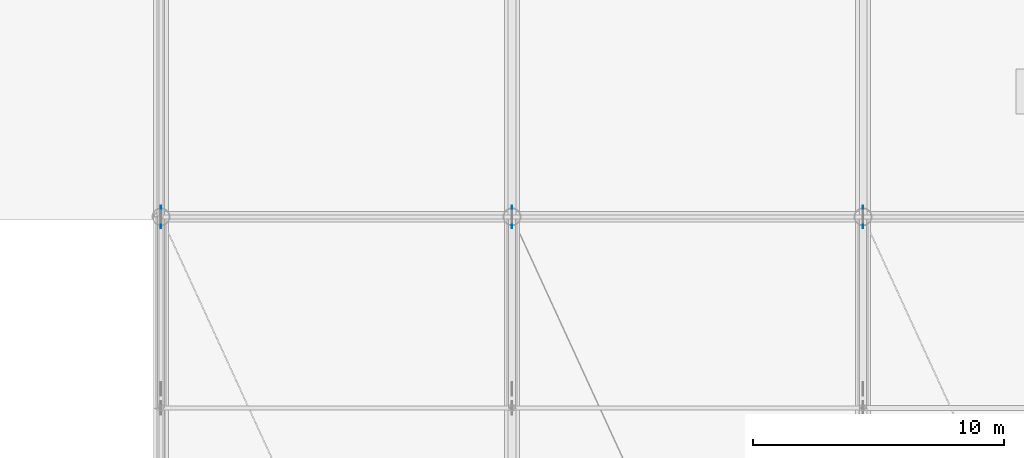
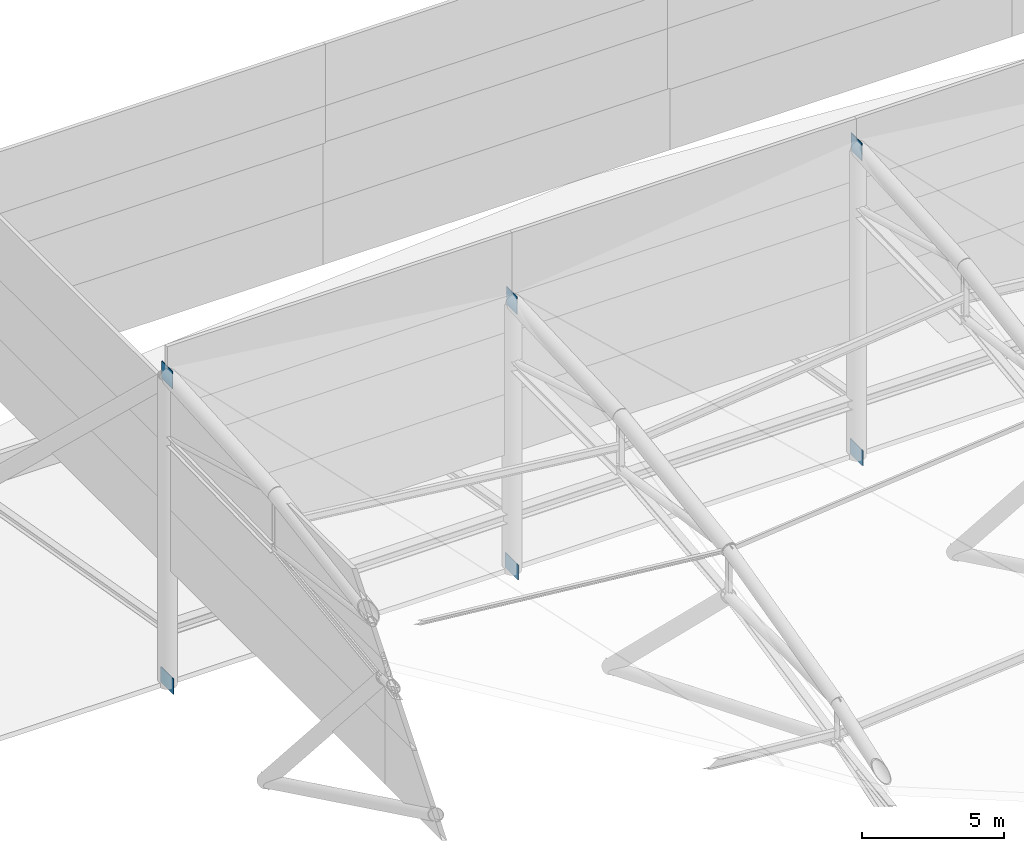
# One storey, part 75 of 113: 6 plates.
"""IFC4 building model written with IfcOpenShell, lengths in metres."""

from ifc_helpers import new_model, si_unit, direction, frame, origin, origin_2d, place, context, subcontext, project, spatial, rectangle, extrude, material, layer, layer_set, type_object, element, save


model = new_model("IFC4")

# Units and contexts
model_context = context("Model", 3, precision=1e-05, world=origin(), true_north=direction((0.0, 1.0)))
body_context = subcontext(model_context, "Body", "Model", "MODEL_VIEW")
ifc_project = project(units=[si_unit("LENGTHUNIT", "METRE"), si_unit("AREAUNIT", "SQUARE_METRE"), si_unit("VOLUMEUNIT", "CUBIC_METRE"), si_unit("PLANEANGLEUNIT", "RADIAN"), si_unit("MASSUNIT", "GRAM", prefix="KILO")], contexts=[model_context])

# Site, building, storey
site_placement = place(None, origin())
site = spatial("IfcSite", under=ifc_project, at=site_placement, CompositionType="ELEMENT")
building_placement = place(site_placement, origin())
building = spatial("IfcBuilding", under=site, at=building_placement, Name="Linyun Crest Stadium", CompositionType="ELEMENT")
storey_placement = place(building_placement, frame((0.0, 0.0, 26.39990234375)))
storey = spatial("IfcBuildingStorey", under=building, at=storey_placement, Name="L06", CompositionType="ELEMENT", Elevation=26.39990234375)

# Plates
ifc_material_1 = material(Name="Steel Q420C", Category="steel")
ifc_layer_1 = layer(ifc_material_1, 0.02392578125)
ifc_layer_set_1 = layer_set([ifc_layer_1], Name="Steel Q420C")
plate_type_1 = type_object("IfcPlateType", Name="EP02", PredefinedType="USERDEFINED", material=ifc_layer_set_1)
for number, where, z_axis, x_axis, name in (
    (1, (-28.0, 91.5, 12.669921875), (0.0, 0.0, 1.0), (0.0, 1.0, 0.0), "Roof mast cap end plate EP02 209"),
    (2, (-14.0, 91.5, 10.97021484375), (0.0, 0.0, 1.0), (0.0, 1.0, 0.0), "Roof mast cap end plate EP02 222"),
    (3, (0.0, 91.5, 12.669921875), (0.0, 0.0, 1.0), (0.0, 1.0, 0.0), "Roof mast cap end plate EP02 235"),
):
    element("IfcPlate", number, at=place(storey_placement, frame(where, z_axis=z_axis, x_axis=x_axis)), inside=storey, type_object=plate_type_1, Name=name, ObjectType="END PLATE", PredefinedType="USERDEFINED", context=body_context, shape_type="SweptSolid", body=[
        extrude(rectangle(XDim=0.760009765625, YDim=0.02392578125, at=origin_2d()), origin(), (0.0, 0.0, 1.0), 0.760009765625),
    ])
ifc_material_2 = material(Name="Steel Q420C", Category="steel")
ifc_layer_2 = layer(ifc_material_2, 0.031982421875)
ifc_layer_set_2 = layer_set([ifc_layer_2], Name="Steel Q420C")
plate_type_2 = type_object("IfcPlateType", Name="NP03", PredefinedType="USERDEFINED", material=ifc_layer_set_2)
for number, where, z_axis, x_axis, name in (
    (4, (-28.0, 91.5, -0.389892578125), (0.0, 0.0, 1.0), (0.0, 1.0, 0.0), "Roof mast base gusset plate NP03 210"),
    (5, (-14.0, 91.5, -0.389892578125), (0.0, 0.0, 1.0), (0.0, 1.0, 0.0), "Roof mast base gusset plate NP03 223"),
    (6, (0.0, 91.5, -0.389892578125), (0.0, 0.0, 1.0), (0.0, 1.0, 0.0), "Roof mast base gusset plate NP03 236"),
):
    element("IfcPlate", number, at=place(storey_placement, frame(where, z_axis=z_axis, x_axis=x_axis)), inside=storey, type_object=plate_type_2, Name=name, ObjectType="GUSSET PLATE", PredefinedType="USERDEFINED", context=body_context, shape_type="SweptSolid", body=[
        extrude(rectangle(XDim=0.89990234375, YDim=0.031982421875, at=origin_2d()), origin(), (0.0, 0.0, 1.0), 0.64990234375),
    ])

save(model, "model.ifc")
